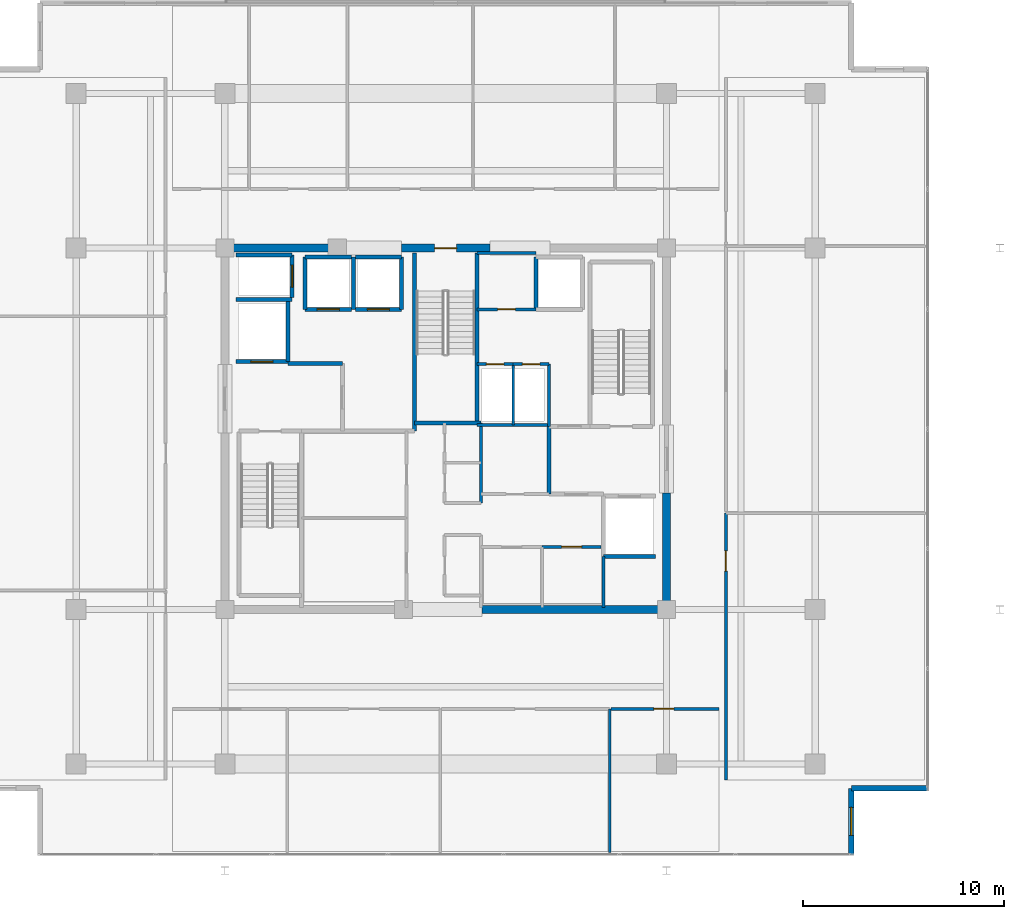
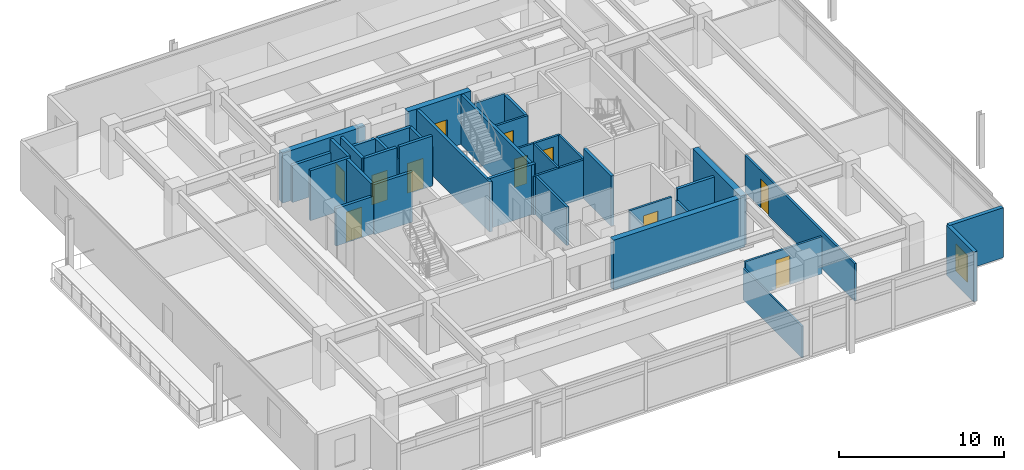
# One storey, part 12 of 18: 38 walls, 11 doors, 1 window, 12 openings.
"""IFC4 building model written with IfcOpenShell, lengths in metres."""

from ifc_helpers import new_model, si_unit, direction, frame, frame_2d, origin, place, context, subcontext, project, spatial, rectangle, extrude, material, layer, layer_set, type_object, element, fill, save


model = new_model("IFC4")

# Units and contexts
model_context = context("Model", 3, precision=1e-05, world=origin(), true_north=direction((0.0, 1.0)))
body_context = subcontext(model_context, "Body", "Model", "MODEL_VIEW")
ifc_project = project(units=[si_unit("LENGTHUNIT", "METRE"), si_unit("AREAUNIT", "SQUARE_METRE"), si_unit("VOLUMEUNIT", "CUBIC_METRE"), si_unit("PLANEANGLEUNIT", "RADIAN"), si_unit("MASSUNIT", "GRAM", prefix="KILO")], contexts=[model_context])

# Site, building, storey
site_placement = place(None, origin())
site = spatial("IfcSite", under=ifc_project, at=site_placement, CompositionType="ELEMENT")
building_placement = place(site_placement, origin())
building = spatial("IfcBuilding", under=site, at=building_placement, Name="Kovane Verandah Tower", CompositionType="ELEMENT")
storey_placement = place(building_placement, frame((0.0, 0.0, 338.800048828125)))
storey = spatial("IfcBuildingStorey", under=building, at=storey_placement, Name="L79", CompositionType="ELEMENT", Elevation=338.800048828125)

# Walls
ifc_material_1 = material(Name="Fire-Rated Gypsum Stud Partition", Category="gypsum")
ifc_layer_1 = layer(ifc_material_1, 0.14990234375)
ifc_layer_set_1 = layer_set([ifc_layer_1], Name="Fire-Rated Gypsum Stud Partition")
wall_type_1 = type_object("IfcWallType", Name="WL-COR-150", PredefinedType="PARTITIONING", material=ifc_layer_set_1)
wall_1_placement = place(storey_placement, frame((41.760009765625, 23.800048828125, 0.0), z_axis=(0.0, 0.0, 1.0), x_axis=(0.0, 1.0, 0.0)))
element("IfcWall", 1, at=wall_1_placement, inside=storey, type_object=wall_type_1, Name="L79 Central Core Strip Upper East Wall", PredefinedType="PARTITIONING", context=body_context, shape_type="SweptSolid", body=[
    extrude(rectangle(XDim=4.0, YDim=0.14990234375, at=frame_2d((2.0, 0.0))), origin(), (0.0, 0.0, 1.0), 2.849853515625),
])
wall_2_placement = place(storey_placement, frame((41.56005859375, 27.679931640625, 0.0), z_axis=(0.0, 0.0, 1.0), x_axis=(1.0, 0.0, 0.0)))
element("IfcWall", 2, at=wall_2_placement, inside=storey, type_object=wall_type_1, Name="L79 East Core Service Riser South Wall", PredefinedType="PARTITIONING", context=body_context, shape_type="SweptSolid", body=[
    extrude(rectangle(XDim=3.58984375, YDim=0.14990234375, at=frame_2d((1.794921875, 0.0))), origin(), (0.0, 0.0, 1.0), 2.849853515625),
])
wall_3_placement = place(storey_placement, frame((47.85009765625, 18.60009765625, 0.0), z_axis=(0.0, 0.0, 1.0), x_axis=(0.0, 1.0, 0.0)))
element("IfcWall", 3, at=wall_3_placement, inside=storey, type_object=wall_type_1, Name="L79 East Core Support East Wall", PredefinedType="PARTITIONING", context=body_context, shape_type="SweptSolid", body=[
    extrude(rectangle(XDim=2.539794921875, YDim=0.14990234375, at=frame_2d((1.27001953125, 0.0))), origin(), (0.0, 0.0, 1.0), 2.849853515625),
])

# Wall, opening, door
wall_4_placement = place(storey_placement, frame((44.800048828125, 21.6201171875, 0.0), z_axis=(0.0, 0.0, 1.0), x_axis=(1.0, 0.0, 0.0)))
wall_4 = element("IfcWall", 4, at=wall_4_placement, inside=storey, type_object=wall_type_1, Name="L79 East IT Server Room Partition", PredefinedType="PARTITIONING", context=body_context, shape_type="SweptSolid", body=[
    extrude(rectangle(XDim=2.93994140625, YDim=0.14990234375, at=frame_2d((1.469970703125, 0.0))), origin(), (0.0, 0.0, 1.0), 2.849853515625),
])
opening_1_placement = place(wall_4_placement, frame((0.969970703125, 0.0, 0.0)))
opening_1 = element("IfcOpeningElement", 5, at=opening_1_placement, cuts=wall_4, Name="Opening DR-L79-017", PredefinedType="OPENING", context=body_context, shape_type="SweptSolid", body=[
    extrude(rectangle(XDim=1.0, YDim=2.14990234375, at=frame_2d((0.5, 1.074951171875))), frame((0.0, 0.074951171875, 0.0), z_axis=(0.0, -1.0, 0.0), x_axis=(1.0, 0.0, 0.0)), (0.0, 0.0, 1.0), 0.14990234375),
])
ifc_material_2 = material(Name="FSC Spotted-Gum Timber Fire-Rated Office Door", Category="wood")
door_type_1 = type_object("IfcDoorType", Name="DR-OFF-1000", OperationType="SINGLE_SWING_LEFT", PredefinedType="DOOR", material=ifc_material_2)
door_1_placement = place(opening_1_placement, origin())
door_1 = element("IfcDoor", 6, at=door_1_placement, inside=storey, type_object=door_type_1, Name="L79 East IT Server Room Door", OperationType="SINGLE_SWING_LEFT", OverallHeight=2.14990234375, OverallWidth=1.0, PredefinedType="DOOR", context=body_context, shape_type="SweptSolid", body=[
    extrude(rectangle(XDim=1.0, YDim=2.14990234375, at=frame_2d((0.5, 1.074951171875))), frame((0.0, 0.02490234375, 0.0), z_axis=(0.0, -1.0, 0.0), x_axis=(1.0, 0.0, 0.0)), (0.0, 0.0, 1.0), 0.050048828125),
])
fill(opening_1, door_1)

# Wall
wall_5_placement = place(storey_placement, frame((45.14990234375, 27.6201171875, 0.0), z_axis=(0.0, 0.0, 1.0), x_axis=(0.0, 1.0, 0.0)))
element("IfcWall", 7, at=wall_5_placement, inside=storey, type_object=wall_type_1, Name="L79 East Core Service Riser East Wall", PredefinedType="PARTITIONING", context=body_context, shape_type="SweptSolid", body=[
    extrude(rectangle(XDim=3.099853515625, YDim=0.14990234375, at=frame_2d((1.5498046875, 0.0))), origin(), (0.0, 0.0, 1.0), 2.849853515625),
])

# Wall, opening, door
wall_6_placement = place(storey_placement, frame((41.56005859375, 30.719970703125, 0.0), z_axis=(0.0, 0.0, 1.0), x_axis=(1.0, 0.0, 0.0)))
wall_6 = element("IfcWall", 8, at=wall_6_placement, inside=storey, type_object=wall_type_1, Name="L79 Chilled Water Riser Room Partition", PredefinedType="PARTITIONING", context=body_context, shape_type="SweptSolid", body=[
    extrude(rectangle(XDim=1.800048828125, YDim=0.14990234375, at=frame_2d((0.89990234375, 0.0))), origin(), (0.0, 0.0, 1.0), 2.849853515625),
])
opening_2_placement = place(wall_6_placement, frame((0.4599609375, 0.0, 0.0)))
opening_2 = element("IfcOpeningElement", 9, at=opening_2_placement, cuts=wall_6, Name="Opening DR-L79-020", PredefinedType="OPENING", context=body_context, shape_type="SweptSolid", body=[
    extrude(rectangle(XDim=0.8798828125, YDim=2.10009765625, at=frame_2d((0.43994140625, 1.050048828125))), frame((0.0, 0.074951171875, 0.0), z_axis=(0.0, -1.0, 0.0), x_axis=(1.0, 0.0, 0.0)), (0.0, 0.0, 1.0), 0.14990234375),
])
ifc_material_3 = material(Name="Fire-Rated Steel Riser Access Door", Category="steel")
door_type_2 = type_object("IfcDoorType", Name="DR-RISER-880", OperationType="SINGLE_SWING_LEFT", PredefinedType="DOOR", material=ifc_material_3)
door_2_placement = place(opening_2_placement, origin())
door_2 = element("IfcDoor", 10, at=door_2_placement, inside=storey, type_object=door_type_2, Name="L79 Chilled Water Riser Room Door", OperationType="SINGLE_SWING_LEFT", OverallHeight=2.10009765625, OverallWidth=0.8798828125, PredefinedType="DOOR", context=body_context, shape_type="SweptSolid", body=[
    extrude(rectangle(XDim=0.8798828125, YDim=2.10009765625, at=frame_2d((0.43994140625, 1.050048828125))), frame((0.0, 0.02490234375, 0.0), z_axis=(0.0, -1.0, 0.0), x_axis=(1.0, 0.0, 0.0)), (0.0, 0.0, 1.0), 0.050048828125),
])
fill(opening_2, door_2)

wall_7_placement = place(storey_placement, frame((43.360107421875, 30.719970703125, 0.0), z_axis=(0.0, 0.0, 1.0), x_axis=(1.0, 0.0, 0.0)))
wall_7 = element("IfcWall", 11, at=wall_7_placement, inside=storey, type_object=wall_type_1, Name="L79 Smoke Extract Duct Room Partition", PredefinedType="PARTITIONING", context=body_context, shape_type="SweptSolid", body=[
    extrude(rectangle(XDim=1.789794921875, YDim=0.14990234375, at=frame_2d((0.89501953125, 0.0))), origin(), (0.0, 0.0, 1.0), 2.849853515625),
])
opening_3_placement = place(wall_7_placement, frame((0.455078125, 0.0, 0.0)))
opening_3 = element("IfcOpeningElement", 12, at=opening_3_placement, cuts=wall_7, Name="Opening DR-L79-021", PredefinedType="OPENING", context=body_context, shape_type="SweptSolid", body=[
    extrude(rectangle(XDim=0.8798828125, YDim=2.10009765625, at=frame_2d((0.43994140625, 1.050048828125))), frame((0.0, 0.074951171875, 0.0), z_axis=(0.0, -1.0, 0.0), x_axis=(1.0, 0.0, 0.0)), (0.0, 0.0, 1.0), 0.14990234375),
])
door_3_placement = place(opening_3_placement, origin())
door_3 = element("IfcDoor", 13, at=door_3_placement, inside=storey, type_object=door_type_2, Name="L79 Smoke Extract Duct Room Door", OperationType="SINGLE_SWING_RIGHT", OverallHeight=2.10009765625, OverallWidth=0.8798828125, PredefinedType="DOOR", context=body_context, shape_type="SweptSolid", body=[
    extrude(rectangle(XDim=0.8798828125, YDim=2.10009765625, at=frame_2d((0.43994140625, 1.050048828125))), frame((0.0, 0.02490234375, 0.0), z_axis=(0.0, -1.0, 0.0), x_axis=(1.0, 0.0, 0.0)), (0.0, 0.0, 1.0), 0.050048828125),
])
fill(opening_3, door_3)

# Wall
wall_8_placement = place(storey_placement, frame((41.56005859375, 36.25, 0.0), z_axis=(0.0, 0.0, 1.0), x_axis=(1.0, 0.0, 0.0)))
element("IfcWall", 14, at=wall_8_placement, inside=storey, type_object=wall_type_1, Name="L79 Sky Telecom Riser North Wall", PredefinedType="PARTITIONING", context=body_context, shape_type="SweptSolid", body=[
    extrude(rectangle(XDim=2.93994140625, YDim=0.14990234375, at=frame_2d((1.469970703125, 0.0))), origin(), (0.0, 0.0, 1.0), 2.780029296875),
])

# Wall, opening, door
wall_9_placement = place(storey_placement, frame((41.56005859375, 33.449951171875, 0.0), z_axis=(0.0, 0.0, 1.0), x_axis=(1.0, 0.0, 0.0)))
wall_9 = element("IfcWall", 15, at=wall_9_placement, inside=storey, type_object=wall_type_1, Name="L79 Sky Telecom Riser Room Partition", PredefinedType="PARTITIONING", context=body_context, shape_type="SweptSolid", body=[
    extrude(rectangle(XDim=2.93994140625, YDim=0.14990234375, at=frame_2d((1.469970703125, 0.0))), origin(), (0.0, 0.0, 1.0), 2.849853515625),
])
opening_4_placement = place(wall_9_placement, frame((1.030029296875, 0.0, 0.0)))
opening_4 = element("IfcOpeningElement", 16, at=opening_4_placement, cuts=wall_9, Name="Opening DR-L79-019", PredefinedType="OPENING", context=body_context, shape_type="SweptSolid", body=[
    extrude(rectangle(XDim=0.8798828125, YDim=2.10009765625, at=frame_2d((0.43994140625, 1.050048828125))), frame((0.0, 0.074951171875, 0.0), z_axis=(0.0, -1.0, 0.0), x_axis=(1.0, 0.0, 0.0)), (0.0, 0.0, 1.0), 0.14990234375),
])
door_4_placement = place(opening_4_placement, origin())
door_4 = element("IfcDoor", 17, at=door_4_placement, inside=storey, type_object=door_type_2, Name="L79 Sky Telecom Riser Room Door", OperationType="SINGLE_SWING_LEFT", OverallHeight=2.10009765625, OverallWidth=0.8798828125, PredefinedType="DOOR", context=body_context, shape_type="SweptSolid", body=[
    extrude(rectangle(XDim=0.8798828125, YDim=2.10009765625, at=frame_2d((0.43994140625, 1.050048828125))), frame((0.0, 0.02490234375, 0.0), z_axis=(0.0, -1.0, 0.0), x_axis=(1.0, 0.0, 0.0)), (0.0, 0.0, 1.0), 0.050048828125),
])
fill(opening_4, door_4)

wall_10_placement = place(storey_placement, frame((48.22998046875, 13.550048828125, 0.0), z_axis=(0.0, 0.0, 1.0), x_axis=(1.0, 0.0, 0.0)))
wall_10 = element("IfcWall", 18, at=wall_10_placement, inside=storey, type_object=wall_type_1, Name="L79 Focus Studio S4 Corridor Partition", PredefinedType="PARTITIONING", context=body_context, shape_type="SweptSolid", body=[
    extrude(rectangle(XDim=5.3701171875, YDim=0.14990234375, at=frame_2d((2.68505859375, 0.0))), origin(), (0.0, 0.0, 1.0), 2.75341796875),
])
opening_5_placement = place(wall_10_placement, frame((2.135009765625, 0.0, 0.0)))
opening_5 = element("IfcOpeningElement", 19, at=opening_5_placement, cuts=wall_10, Name="Opening DR-L79-030", PredefinedType="OPENING", context=body_context, shape_type="SweptSolid", body=[
    extrude(rectangle(XDim=1.0, YDim=2.14990234375, at=frame_2d((0.5, 1.074951171875))), frame((0.0, 0.074951171875, 0.0), z_axis=(0.0, -1.0, 0.0), x_axis=(1.0, 0.0, 0.0)), (0.0, 0.0, 1.0), 0.14990234375),
])
door_5_placement = place(opening_5_placement, origin())
door_5 = element("IfcDoor", 20, at=door_5_placement, inside=storey, type_object=door_type_1, Name="L79 Focus Studio S4 Entrance Door", OperationType="SINGLE_SWING_RIGHT", OverallHeight=2.14990234375, OverallWidth=1.0, PredefinedType="DOOR", context=body_context, shape_type="SweptSolid", body=[
    extrude(rectangle(XDim=1.0, YDim=2.14990234375, at=frame_2d((0.5, 1.074951171875))), frame((0.0, 0.02490234375, 0.0), z_axis=(0.0, -1.0, 0.0), x_axis=(1.0, 0.0, 0.0)), (0.0, 0.0, 1.0), 0.050048828125),
])
fill(opening_5, door_5)

wall_11_placement = place(storey_placement, frame((53.949951171875, 10.0, 0.0), z_axis=(0.0, 0.0, 1.0), x_axis=(0.0, 1.0, 0.0)))
wall_11 = element("IfcWall", 21, at=wall_11_placement, inside=storey, type_object=wall_type_1, Name="L79 Open Plan Office E1 Corridor Partition", PredefinedType="PARTITIONING", context=body_context, shape_type="SweptSolid", body=[
    extrude(rectangle(XDim=13.300048828125, YDim=0.14990234375, at=frame_2d((6.64990234375, 0.0))), origin(), (0.0, 0.0, 1.0), 2.75341796875),
])
opening_6_placement = place(wall_11_placement, frame((10.4150390625, 0.0, 0.0)))
opening_6 = element("IfcOpeningElement", 22, at=opening_6_placement, cuts=wall_11, Name="Opening DR-L79-011", PredefinedType="OPENING", context=body_context, shape_type="SweptSolid", body=[
    extrude(rectangle(XDim=1.0, YDim=2.14990234375, at=frame_2d((0.5, 1.074951171875))), frame((0.0, 0.074951171875, 0.0), z_axis=(0.0, -1.0, 0.0), x_axis=(1.0, 0.0, 0.0)), (0.0, 0.0, 1.0), 0.14990234375),
])
door_6_placement = place(opening_6_placement, origin())
door_6 = element("IfcDoor", 23, at=door_6_placement, inside=storey, type_object=door_type_1, Name="L79 Open Plan Office E1 Entrance Door", OperationType="SINGLE_SWING_RIGHT", OverallHeight=2.14990234375, OverallWidth=1.0, PredefinedType="DOOR", context=body_context, shape_type="SweptSolid", body=[
    extrude(rectangle(XDim=1.0, YDim=2.14990234375, at=frame_2d((0.5, 1.074951171875))), frame((0.0, 0.02490234375, 0.0), z_axis=(0.0, -1.0, 0.0), x_axis=(1.0, 0.0, 0.0)), (0.0, 0.0, 1.0), 0.050048828125),
])
fill(opening_6, door_6)

# Walls
ifc_material_4 = material(Name="Concrete C60/75", Category="concrete")
ifc_layer_2 = layer(ifc_material_4, 0.39990234375)
ifc_layer_set_2 = layer_set([ifc_layer_2], Name="Concrete C60/75")
wall_type_2 = type_object("IfcWallType", Name="WL-CORE-400", PredefinedType="SHEAR", material=ifc_layer_set_2)
wall_12_placement = place(storey_placement, frame((41.800048828125, 18.5, 0.0), z_axis=(0.0, 0.0, 1.0), x_axis=(1.0, 0.0, 0.0)))
element("IfcWall", 24, at=wall_12_placement, inside=storey, type_object=wall_type_2, Name="L79 Core Shear Wall CS-2", PredefinedType="SHEAR", context=body_context, shape_type="SweptSolid", body=[
    extrude(rectangle(XDim=9.199951171875, YDim=0.39990234375, at=frame_2d((4.60009765625, 0.0))), origin(), (0.0, 0.0, 1.0), 3.699951171875),
])
wall_13_placement = place(storey_placement, frame((29.0, 36.5, 0.0), z_axis=(0.0, 0.0, 1.0), x_axis=(1.0, 0.0, 0.0)))
element("IfcWall", 25, at=wall_13_placement, inside=storey, type_object=wall_type_2, Name="L79 Core Shear Wall CN-1", PredefinedType="SHEAR", context=body_context, shape_type="SweptSolid", body=[
    extrude(rectangle(XDim=5.800048828125, YDim=0.39990234375, at=frame_2d((2.89990234375, 0.0))), origin(), (0.0, 0.0, 1.0), 3.699951171875),
])

# Wall, opening, door
wall_14_placement = place(storey_placement, frame((37.800048828125, 36.5, 0.0), z_axis=(0.0, 0.0, 1.0), x_axis=(1.0, 0.0, 0.0)))
wall_14 = element("IfcWall", 26, at=wall_14_placement, inside=storey, type_object=wall_type_2, Name="L79 Core Shear Wall CN-2", PredefinedType="SHEAR", context=body_context, shape_type="SweptSolid", body=[
    extrude(rectangle(XDim=4.39990234375, YDim=0.39990234375, at=frame_2d((2.199951171875, 0.0))), origin(), (0.0, 0.0, 1.0), 3.699951171875),
])
opening_7_placement = place(wall_14_placement, frame((1.64990234375, 0.0, 0.0)))
opening_7 = element("IfcOpeningElement", 27, at=opening_7_placement, cuts=wall_14, Name="Opening DR-L79-010", PredefinedType="OPENING", context=body_context, shape_type="SweptSolid", body=[
    extrude(rectangle(XDim=1.10009765625, YDim=2.14990234375, at=frame_2d((0.550048828125, 1.074951171875))), frame((0.0, 0.199951171875, 0.0), z_axis=(0.0, -1.0, 0.0), x_axis=(1.0, 0.0, 0.0)), (0.0, 0.0, 1.0), 0.39990234375),
])
ifc_material_5 = material(Name="Fire-Rated Steel Exit Door", Category="steel")
door_type_3 = type_object("IfcDoorType", Name="DR-STAIR-1100", OperationType="SINGLE_SWING_LEFT", PredefinedType="DOOR", material=ifc_material_5)
door_7_placement = place(opening_7_placement, origin())
door_7 = element("IfcDoor", 28, at=door_7_placement, inside=storey, type_object=door_type_3, Name="L79 ST-03 Fire Exit Stair Door", OperationType="SINGLE_SWING_RIGHT", OverallHeight=2.14990234375, OverallWidth=1.10009765625, PredefinedType="DOOR", context=body_context, shape_type="SweptSolid", body=[
    extrude(rectangle(XDim=1.10009765625, YDim=2.14990234375, at=frame_2d((0.550048828125, 1.074951171875))), frame((0.0, 0.02490234375, 0.0), z_axis=(0.0, -1.0, 0.0), x_axis=(1.0, 0.0, 0.0)), (0.0, 0.0, 1.0), 0.050048828125),
])
fill(opening_7, door_7)

# Walls
wall_15_placement = place(storey_placement, frame((51.0, 18.5, 0.0), z_axis=(0.0, 0.0, 1.0), x_axis=(0.0, 1.0, 0.0)))
element("IfcWall", 29, at=wall_15_placement, inside=storey, type_object=wall_type_2, Name="L79 Core Shear Wall CE-1", PredefinedType="SHEAR", context=body_context, shape_type="SweptSolid", body=[
    extrude(rectangle(XDim=5.800048828125, YDim=0.39990234375, at=frame_2d((2.89990234375, 0.0))), origin(), (0.0, 0.0, 1.0), 3.699951171875),
])
ifc_material_6 = material(Name="Concrete C45/55 Fire Wall", Category="concrete")
ifc_layer_3 = layer(ifc_material_6, 0.199951171875)
ifc_layer_set_3 = layer_set([ifc_layer_3], Name="Concrete C45/55 Fire Wall")
wall_type_3 = type_object("IfcWallType", Name="WL-FFL-200", PredefinedType="PARTITIONING", material=ifc_layer_set_3)
wall_16_placement = place(storey_placement, frame((32.14990234375, 30.75, 0.0), z_axis=(0.0, 0.0, 1.0), x_axis=(1.0, 0.0, 0.0)))
element("IfcWall", 30, at=wall_16_placement, inside=storey, type_object=wall_type_3, Name="L79 West Firefighting Lobby North Fire Wall", PredefinedType="PARTITIONING", context=body_context, shape_type="SweptSolid", body=[
    extrude(rectangle(XDim=2.7001953125, YDim=0.199951171875, at=frame_2d((1.35009765625, 0.0))), origin(), (0.0, 0.0, 1.0), 3.699951171875),
])
wall_17_placement = place(storey_placement, frame((45.14990234375, 24.25, 0.0), z_axis=(0.0, 0.0, 1.0), x_axis=(0.0, 1.0, 0.0)))
element("IfcWall", 31, at=wall_17_placement, inside=storey, type_object=wall_type_3, Name="L79 East Firefighting Lobby West Fire Wall", PredefinedType="PARTITIONING", context=body_context, shape_type="SweptSolid", body=[
    extrude(rectangle(XDim=3.3701171875, YDim=0.199951171875, at=frame_2d((1.68505859375, 0.0))), origin(), (0.0, 0.0, 1.0), 3.699951171875),
])

# Wall, opening, door
ifc_material_7 = material(Name="Concrete C45/55 Lift Shaft Wall", Category="concrete")
ifc_layer_4 = layer(ifc_material_7, 0.199951171875)
ifc_layer_set_4 = layer_set([ifc_layer_4], Name="Concrete C45/55 Lift Shaft Wall")
wall_type_4 = type_object("IfcWallType", Name="WL-LIFT-200", PredefinedType="SOLIDWALL", material=ifc_layer_set_4)
wall_18_placement = place(storey_placement, frame((29.550048828125, 30.85009765625, 0.0), z_axis=(0.0, 0.0, 1.0), x_axis=(1.0, 0.0, 0.0)))
wall_18 = element("IfcWall", 32, at=wall_18_placement, inside=storey, type_object=wall_type_4, Name="L79 Lift FL-01 S Shaft Wall", PredefinedType="SOLIDWALL", context=body_context, shape_type="SweptSolid", body=[
    extrude(rectangle(XDim=2.599853515625, YDim=0.199951171875, at=frame_2d((1.2998046875, 0.0))), origin(), (0.0, 0.0, 1.0), 2.780029296875),
])
opening_8_placement = place(wall_18_placement, frame((0.75, 0.0, 0.0)))
opening_8 = element("IfcOpeningElement", 33, at=opening_8_placement, cuts=wall_18, Name="Opening LD-L79-001", PredefinedType="OPENING", context=body_context, shape_type="SweptSolid", body=[
    extrude(rectangle(XDim=1.10009765625, YDim=2.199951171875, at=frame_2d((0.550048828125, 1.10009765625))), frame((0.0, 0.10009765625, 0.0), z_axis=(0.0, -1.0, 0.0), x_axis=(1.0, 0.0, 0.0)), (0.0, 0.0, 1.0), 0.199951171875),
])
ifc_material_8 = material(Name="Brushed Stainless Steel Sliding Lift Landing Door", Category="steel")
door_type_4 = type_object("IfcDoorType", Name="DR-LIFT-1100", OperationType="SLIDING_TO_RIGHT", PredefinedType="DOOR", material=ifc_material_8)
door_8_placement = place(opening_8_placement, origin())
door_8 = element("IfcDoor", 34, at=door_8_placement, inside=storey, type_object=door_type_4, Name="L79 Lift FL-01 Sliding Landing Door", OperationType="SLIDING_TO_RIGHT", OverallHeight=2.199951171875, OverallWidth=1.10009765625, PredefinedType="DOOR", context=body_context, shape_type="SweptSolid", body=[
    extrude(rectangle(XDim=1.10009765625, YDim=2.199951171875, at=frame_2d((0.550048828125, 1.10009765625))), frame((0.0, 0.02490234375, 0.0), z_axis=(0.0, -1.0, 0.0), x_axis=(1.0, 0.0, 0.0)), (0.0, 0.0, 1.0), 0.050048828125),
])
fill(opening_8, door_8)

# Walls
wall_19_placement = place(storey_placement, frame((29.550048828125, 33.949951171875, 0.0), z_axis=(0.0, 0.0, 1.0), x_axis=(1.0, 0.0, 0.0)))
element("IfcWall", 35, at=wall_19_placement, inside=storey, type_object=wall_type_4, Name="L79 Lift FL-01 and GL-01 Shared Shaft Wall", PredefinedType="SOLIDWALL", context=body_context, shape_type="SweptSolid", body=[
    extrude(rectangle(XDim=2.800048828125, YDim=0.199951171875, at=frame_2d((1.39990234375, 0.0))), origin(), (0.0, 0.0, 1.0), 3.699951171875),
])
wall_20_placement = place(storey_placement, frame((32.14990234375, 30.85009765625, 0.0), z_axis=(0.0, 0.0, 1.0), x_axis=(0.0, 1.0, 0.0)))
element("IfcWall", 36, at=wall_20_placement, inside=storey, type_object=wall_type_4, Name="L79 Lift FL-01 E Shaft Wall", PredefinedType="SOLIDWALL", context=body_context, shape_type="SweptSolid", body=[
    extrude(rectangle(XDim=3.0, YDim=0.199951171875, at=frame_2d((1.5, 0.0))), origin(), (0.0, 0.0, 1.0), 3.699951171875),
])
wall_21_placement = place(storey_placement, frame((47.85009765625, 21.14990234375, 0.0), z_axis=(0.0, 0.0, 1.0), x_axis=(1.0, 0.0, 0.0)))
element("IfcWall", 37, at=wall_21_placement, inside=storey, type_object=wall_type_4, Name="L79 Lift FL-02 S Shaft Wall", PredefinedType="SOLIDWALL", context=body_context, shape_type="SweptSolid", body=[
    extrude(rectangle(XDim=2.599853515625, YDim=0.199951171875, at=frame_2d((1.2998046875, 0.0))), origin(), (0.0, 0.0, 1.0), 3.699951171875),
])
wall_22_placement = place(storey_placement, frame((32.35009765625, 36.14990234375, 0.0), z_axis=(0.0, 0.0, 1.0), x_axis=(-1.0, 0.0, 0.0)))
element("IfcWall", 38, at=wall_22_placement, inside=storey, type_object=wall_type_4, Name="L79 Lift GL-01 N Shaft Wall", PredefinedType="SOLIDWALL", context=body_context, shape_type="SweptSolid", body=[
    extrude(rectangle(XDim=2.800048828125, YDim=0.199951171875, at=frame_2d((1.39990234375, 0.0))), origin(), (0.0, 0.0, 1.0), 2.75341796875),
])

# Wall, opening, door
wall_23_placement = place(storey_placement, frame((32.35009765625, 34.050048828125, 0.0), z_axis=(0.0, 0.0, 1.0), x_axis=(0.0, 1.0, 0.0)))
wall_23 = element("IfcWall", 39, at=wall_23_placement, inside=storey, type_object=wall_type_4, Name="L79 Lift GL-01 E Shaft Wall", PredefinedType="SOLIDWALL", context=body_context, shape_type="SweptSolid", body=[
    extrude(rectangle(XDim=2.099853515625, YDim=0.199951171875, at=frame_2d((1.0498046875, 0.0))), origin(), (0.0, 0.0, 1.0), 3.699951171875),
])
opening_9_placement = place(wall_23_placement, frame((0.5, 0.0, 0.0)))
opening_9 = element("IfcOpeningElement", 40, at=opening_9_placement, cuts=wall_23, Name="Opening LD-L79-003", PredefinedType="OPENING", context=body_context, shape_type="SweptSolid", body=[
    extrude(rectangle(XDim=1.10009765625, YDim=2.199951171875, at=frame_2d((0.550048828125, 1.10009765625))), frame((0.0, 0.10009765625, 0.0), z_axis=(0.0, -1.0, 0.0), x_axis=(1.0, 0.0, 0.0)), (0.0, 0.0, 1.0), 0.199951171875),
])
door_9_placement = place(opening_9_placement, origin())
door_9 = element("IfcDoor", 41, at=door_9_placement, inside=storey, type_object=door_type_4, Name="L79 Lift GL-01 Sliding Landing Door", OperationType="SLIDING_TO_RIGHT", OverallHeight=2.199951171875, OverallWidth=1.10009765625, PredefinedType="DOOR", context=body_context, shape_type="SweptSolid", body=[
    extrude(rectangle(XDim=1.10009765625, YDim=2.199951171875, at=frame_2d((0.550048828125, 1.10009765625))), frame((0.0, 0.02490234375, 0.0), z_axis=(0.0, -1.0, 0.0), x_axis=(1.0, 0.0, 0.0)), (0.0, 0.0, 1.0), 0.050048828125),
])
fill(opening_9, door_9)

wall_24_placement = place(storey_placement, frame((33.0, 33.449951171875, 0.0), z_axis=(0.0, 0.0, 1.0), x_axis=(1.0, 0.0, 0.0)))
wall_24 = element("IfcWall", 42, at=wall_24_placement, inside=storey, type_object=wall_type_4, Name="L79 Lift PL-H1 S Shaft Wall", PredefinedType="SOLIDWALL", context=body_context, shape_type="SweptSolid", body=[
    extrude(rectangle(XDim=2.300048828125, YDim=0.199951171875, at=frame_2d((1.14990234375, 0.0))), origin(), (0.0, 0.0, 1.0), 3.699951171875),
])
opening_10_placement = place(wall_24_placement, frame((0.60009765625, 0.0, 0.0)))
opening_10 = element("IfcOpeningElement", 43, at=opening_10_placement, cuts=wall_24, Name="Opening LD-L79-004", PredefinedType="OPENING", context=body_context, shape_type="SweptSolid", body=[
    extrude(rectangle(XDim=1.10009765625, YDim=2.199951171875, at=frame_2d((0.550048828125, 1.10009765625))), frame((0.0, 0.10009765625, 0.0), z_axis=(0.0, -1.0, 0.0), x_axis=(1.0, 0.0, 0.0)), (0.0, 0.0, 1.0), 0.199951171875),
])
door_10_placement = place(opening_10_placement, origin())
door_10 = element("IfcDoor", 44, at=door_10_placement, inside=storey, type_object=door_type_4, Name="L79 Lift PL-H1 Sliding Landing Door", OperationType="SLIDING_TO_RIGHT", OverallHeight=2.199951171875, OverallWidth=1.10009765625, PredefinedType="DOOR", context=body_context, shape_type="SweptSolid", body=[
    extrude(rectangle(XDim=1.10009765625, YDim=2.199951171875, at=frame_2d((0.550048828125, 1.10009765625))), frame((0.0, 0.02490234375, 0.0), z_axis=(0.0, -1.0, 0.0), x_axis=(1.0, 0.0, 0.0)), (0.0, 0.0, 1.0), 0.050048828125),
])
fill(opening_10, door_10)

# Walls
wall_25_placement = place(storey_placement, frame((35.300048828125, 36.050048828125, 0.0), z_axis=(0.0, 0.0, 1.0), x_axis=(-1.0, 0.0, 0.0)))
element("IfcWall", 45, at=wall_25_placement, inside=storey, type_object=wall_type_4, Name="L79 Lift PL-H1 N Shaft Wall", PredefinedType="SOLIDWALL", context=body_context, shape_type="SweptSolid", body=[
    extrude(rectangle(XDim=2.300048828125, YDim=0.199951171875, at=frame_2d((1.14990234375, 0.0))), origin(), (0.0, 0.0, 1.0), 2.780029296875),
])
wall_26_placement = place(storey_placement, frame((33.0, 36.050048828125, 0.0), z_axis=(0.0, 0.0, 1.0), x_axis=(0.0, -1.0, 0.0)))
element("IfcWall", 46, at=wall_26_placement, inside=storey, type_object=wall_type_4, Name="L79 Lift PL-H1 W Shaft Wall", PredefinedType="SOLIDWALL", context=body_context, shape_type="SweptSolid", body=[
    extrude(rectangle(XDim=2.60009765625, YDim=0.199951171875, at=frame_2d((1.300048828125, 0.0))), origin(), (0.0, 0.0, 1.0), 3.699951171875),
])
wall_27_placement = place(storey_placement, frame((35.39990234375, 33.449951171875, 0.0), z_axis=(0.0, 0.0, 1.0), x_axis=(0.0, 1.0, 0.0)))
element("IfcWall", 47, at=wall_27_placement, inside=storey, type_object=wall_type_4, Name="L79 Lift PL-H1 and PL-H2 Shared Shaft Wall", PredefinedType="SOLIDWALL", context=body_context, shape_type="SweptSolid", body=[
    extrude(rectangle(XDim=2.60009765625, YDim=0.199951171875, at=frame_2d((1.300048828125, 0.0))), origin(), (0.0, 0.0, 1.0), 2.780029296875),
])

# Wall, opening, door
wall_28_placement = place(storey_placement, frame((35.5, 33.449951171875, 0.0), z_axis=(0.0, 0.0, 1.0), x_axis=(1.0, 0.0, 0.0)))
wall_28 = element("IfcWall", 48, at=wall_28_placement, inside=storey, type_object=wall_type_4, Name="L79 Lift PL-H2 S Shaft Wall", PredefinedType="SOLIDWALL", context=body_context, shape_type="SweptSolid", body=[
    extrude(rectangle(XDim=2.300048828125, YDim=0.199951171875, at=frame_2d((1.14990234375, 0.0))), origin(), (0.0, 0.0, 1.0), 3.699951171875),
])
opening_11_placement = place(wall_28_placement, frame((0.60009765625, 0.0, 0.0)))
opening_11 = element("IfcOpeningElement", 49, at=opening_11_placement, cuts=wall_28, Name="Opening LD-L79-005", PredefinedType="OPENING", context=body_context, shape_type="SweptSolid", body=[
    extrude(rectangle(XDim=1.10009765625, YDim=2.199951171875, at=frame_2d((0.550048828125, 1.10009765625))), frame((0.0, 0.10009765625, 0.0), z_axis=(0.0, -1.0, 0.0), x_axis=(1.0, 0.0, 0.0)), (0.0, 0.0, 1.0), 0.199951171875),
])
door_11_placement = place(opening_11_placement, origin())
door_11 = element("IfcDoor", 50, at=door_11_placement, inside=storey, type_object=door_type_4, Name="L79 Lift PL-H2 Sliding Landing Door", OperationType="SLIDING_TO_RIGHT", OverallHeight=2.199951171875, OverallWidth=1.10009765625, PredefinedType="DOOR", context=body_context, shape_type="SweptSolid", body=[
    extrude(rectangle(XDim=1.10009765625, YDim=2.199951171875, at=frame_2d((0.550048828125, 1.10009765625))), frame((0.0, 0.02490234375, 0.0), z_axis=(0.0, -1.0, 0.0), x_axis=(1.0, 0.0, 0.0)), (0.0, 0.0, 1.0), 0.050048828125),
])
fill(opening_11, door_11)

# Walls
wall_29_placement = place(storey_placement, frame((37.800048828125, 36.050048828125, 0.0), z_axis=(0.0, 0.0, 1.0), x_axis=(-1.0, 0.0, 0.0)))
element("IfcWall", 51, at=wall_29_placement, inside=storey, type_object=wall_type_4, Name="L79 Lift PL-H2 N Shaft Wall", PredefinedType="SOLIDWALL", context=body_context, shape_type="SweptSolid", body=[
    extrude(rectangle(XDim=2.300048828125, YDim=0.199951171875, at=frame_2d((1.14990234375, 0.0))), origin(), (0.0, 0.0, 1.0), 2.780029296875),
])
for number, where, z_axis, x_axis, name in (
    (52, (37.800048828125, 33.449951171875, 0.0), (0.0, 0.0, 1.0), (0.0, 1.0, 0.0), "L79 Lift PL-H2 E Shaft Wall"),
    (53, (44.5, 36.050048828125, 0.0), (0.0, 0.0, 1.0), (0.0, -1.0, 0.0), "L79 Lift OL-01 W Shaft Wall"),
):
    element("IfcWall", number, at=place(storey_placement, frame(where, z_axis=z_axis, x_axis=x_axis)), inside=storey, type_object=wall_type_4, Name=name, PredefinedType="SOLIDWALL", context=body_context, shape_type="SweptSolid", body=[
        extrude(rectangle(XDim=2.60009765625, YDim=0.199951171875, at=frame_2d((1.300048828125, 0.0))), origin(), (0.0, 0.0, 1.0), 2.780029296875),
    ])
ifc_material_9 = material(Name="Acoustic Fire-Rated Gypsum Partition", Category="gypsum")
ifc_layer_5 = layer(ifc_material_9, 0.1201171875)
ifc_layer_set_5 = layer_set([ifc_layer_5], Name="Acoustic Fire-Rated Gypsum Partition")
wall_type_5 = type_object("IfcWallType", Name="WL-PART-120", PredefinedType="PARTITIONING", material=ifc_layer_set_5)
wall_30_placement = place(storey_placement, frame((43.360107421875, 27.679931640625, 0.0), z_axis=(0.0, 0.0, 1.0), x_axis=(0.0, 1.0, 0.0)))
element("IfcWall", 54, at=wall_30_placement, inside=storey, type_object=wall_type_5, Name="L79 Service Riser Dividing Partition", PredefinedType="PARTITIONING", context=body_context, shape_type="SweptSolid", body=[
    extrude(rectangle(XDim=3.0400390625, YDim=0.1201171875, at=frame_2d((1.52001953125, 0.0))), origin(), (0.0, 0.0, 1.0), 2.849853515625),
])
wall_31_placement = place(storey_placement, frame((48.159912109375, 6.39990234375, 0.0), z_axis=(0.0, 0.0, 1.0), x_axis=(0.0, 1.0, 0.0)))
element("IfcWall", 55, at=wall_31_placement, inside=storey, type_object=wall_type_5, Name="L79 Meeting Room S3 Dividing Partition", PredefinedType="PARTITIONING", context=body_context, shape_type="SweptSolid", body=[
    extrude(rectangle(XDim=7.150146484375, YDim=0.1201171875, at=frame_2d((3.5751953125, 0.0))), origin(), (0.0, 0.0, 1.0), 2.329833984375),
])
ifc_material_10 = material(Name="Concrete C45/55", Category="concrete")
ifc_layer_6 = layer(ifc_material_10, 0.199951171875)
ifc_layer_set_6 = layer_set([ifc_layer_6], Name="Concrete C45/55")
wall_type_6 = type_object("IfcWallType", Name="WL-SHAFT-200", PredefinedType="SOLIDWALL", material=ifc_layer_set_6)
wall_32_placement = place(storey_placement, frame((38.43994140625, 27.3798828125, 0.0), z_axis=(0.0, 0.0, 1.0), x_axis=(0.0, 1.0, 0.0)))
element("IfcWall", 56, at=wall_32_placement, inside=storey, type_object=wall_type_6, Name="W-L79-ST03-W", PredefinedType="SOLIDWALL", context=body_context, shape_type="SweptSolid", body=[
    extrude(rectangle(XDim=8.8701171875, YDim=0.199951171875, at=frame_2d((4.43505859375, 0.0))), origin(), (0.0, 0.0, 1.0), 3.699951171875),
])
wall_33_placement = place(storey_placement, frame((41.56005859375, 27.679931640625, 0.0), z_axis=(0.0, 0.0, 1.0), x_axis=(0.0, 1.0, 0.0)))
element("IfcWall", 57, at=wall_33_placement, inside=storey, type_object=wall_type_6, Name="W-L79-ST03-E", PredefinedType="SOLIDWALL", context=body_context, shape_type="SweptSolid", body=[
    extrude(rectangle(XDim=8.570068359375, YDim=0.199951171875, at=frame_2d((4.28515625, 0.0))), origin(), (0.0, 0.0, 1.0), 3.699951171875),
])
wall_34_placement = place(storey_placement, frame((38.43994140625, 27.800048828125, 0.0), z_axis=(0.0, 0.0, 1.0), x_axis=(1.0, 0.0, 0.0)))
element("IfcWall", 58, at=wall_34_placement, inside=storey, type_object=wall_type_6, Name="W-L79-ST03-S", PredefinedType="SOLIDWALL", context=body_context, shape_type="SweptSolid", body=[
    extrude(rectangle(XDim=3.320068359375, YDim=0.199951171875, at=frame_2d((1.66015625, 0.0))), origin(), (0.0, 0.0, 1.0), 3.699951171875),
])

# Wall, opening, window
ifc_material_11 = material(Name="Concrete C45/55 Insulated Spandrel Wall", Category="concrete")
ifc_layer_7 = layer(ifc_material_11, 0.260009765625)
ifc_layer_set_7 = layer_set([ifc_layer_7], Name="Concrete C45/55 Insulated Spandrel Wall")
wall_type_7 = type_object("IfcWallType", Name="WL-SPANDREL-260", PredefinedType="PARAPET", material=ifc_layer_set_7)
wall_35_placement = place(storey_placement, frame((60.199951171875, 6.300048828125, 0.0), z_axis=(0.0, 0.0, 1.0), x_axis=(0.0, 1.0, 0.0)))
wall_35 = element("IfcWall", 59, at=wall_35_placement, inside=storey, type_object=wall_type_7, Name="L79 SE Notch Cheek Wall 1", PredefinedType="PARAPET", context=body_context, shape_type="SweptSolid", body=[
    extrude(rectangle(XDim=3.300048828125, YDim=0.260009765625, at=frame_2d((1.64990234375, 0.0))), origin(), (0.0, 0.0, 1.0), 3.699951171875),
])
opening_12_placement = place(wall_35_placement, frame((0.949951171875, 0.0, 0.85009765625)))
opening_12 = element("IfcOpeningElement", 60, at=opening_12_placement, cuts=wall_35, Name="Opening W-01", PredefinedType="OPENING", context=body_context, shape_type="SweptSolid", body=[
    extrude(rectangle(XDim=1.39990234375, YDim=2.0, at=frame_2d((0.699951171875, 1.0))), frame((0.0, 0.1298828125, 0.0), z_axis=(0.0, -1.0, 0.0), x_axis=(1.0, 0.0, 0.0)), (0.0, 0.0, 1.0), 0.260009765625),
])
ifc_material_12 = material(Name="Clear Low-E Laminated Double Glazing in Anodised Frame", Category="glass")
window_type = type_object("IfcWindowType", Name="WN-OPER-1400x2000", PartitioningType="SINGLE_PANEL", PredefinedType="WINDOW", material=ifc_material_12)
window_placement = place(opening_12_placement, origin())
window = element("IfcWindow", 61, at=window_placement, inside=storey, type_object=window_type, Name="L79 SE Re-Entrant Corner Operable Window", OverallHeight=2.0, OverallWidth=1.39990234375, PartitioningType="SINGLE_PANEL", PredefinedType="WINDOW", context=body_context, shape_type="SweptSolid", body=[
    extrude(rectangle(XDim=1.39990234375, YDim=2.0, at=frame_2d((0.699951171875, 1.0))), frame((0.0, 0.030029296875, 0.0), z_axis=(0.0, -1.0, 0.0), x_axis=(1.0, 0.0, 0.0)), (0.0, 0.0, 1.0), 0.06005859375),
])
fill(opening_12, window)

# Wall
wall_36_placement = place(storey_placement, frame((60.199951171875, 9.60009765625, 0.0), z_axis=(0.0, 0.0, 1.0), x_axis=(1.0, 0.0, 0.0)))
element("IfcWall", 62, at=wall_36_placement, inside=storey, type_object=wall_type_7, Name="L79 SE Notch Cheek Wall 2", PredefinedType="PARAPET", context=body_context, shape_type="SweptSolid", body=[
    extrude(rectangle(XDim=3.800048828125, YDim=0.260009765625, at=frame_2d((1.89990234375, 0.0))), origin(), (0.0, 0.0, 1.0), 3.699951171875),
])

save(model, "model.ifc")
